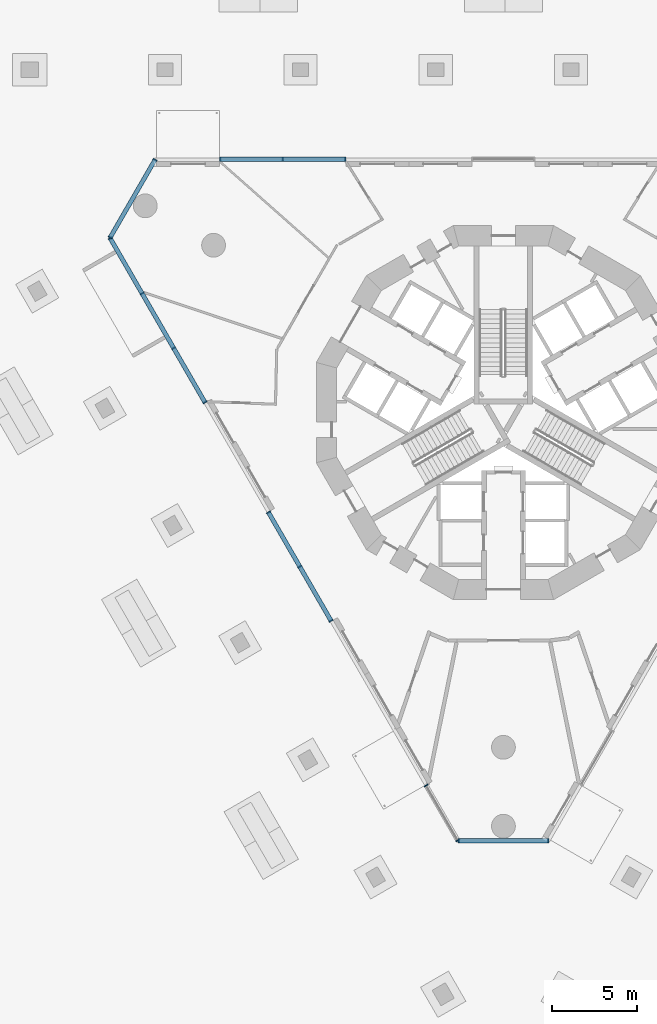
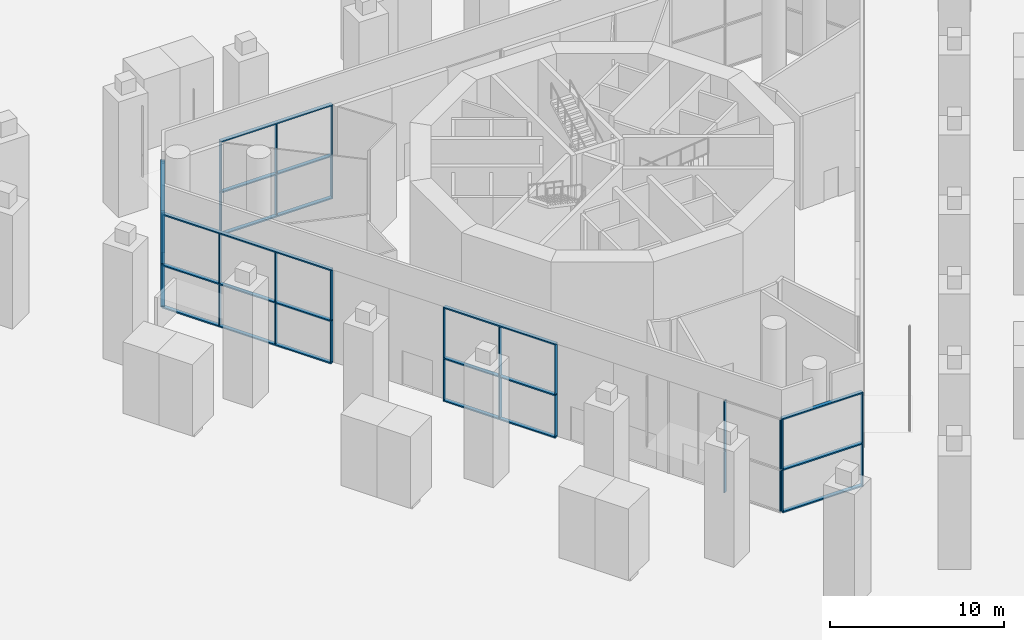
# One storey, part 2 of 26: 47 members, 6 elements without a shape of their own.
"""IFC4 building model written with IfcOpenShell, lengths in metres."""

from ifc_helpers import new_model, si_unit, direction, frame, origin, origin_2d, place, context, subcontext, project, spatial, rectangle, extrude, material, layer, layer_set, material_profile, profile_set, type_object, element, aggregate, save


model = new_model("IFC4")

# Units and contexts
model_context = context("Model", 3, precision=1e-05, world=origin(), true_north=direction((0.0, 1.0)))
body_context = subcontext(model_context, "Body", "Model", "MODEL_VIEW")
ifc_project = project(units=[si_unit("LENGTHUNIT", "METRE"), si_unit("AREAUNIT", "SQUARE_METRE"), si_unit("VOLUMEUNIT", "CUBIC_METRE"), si_unit("PLANEANGLEUNIT", "RADIAN"), si_unit("MASSUNIT", "GRAM", prefix="KILO")], contexts=[model_context])

# Site, building, storey
site_placement = place(None, origin())
site = spatial("IfcSite", under=ifc_project, at=site_placement, CompositionType="ELEMENT")
building_placement = place(site_placement, origin())
building = spatial("IfcBuilding", under=site, at=building_placement, Name="Trine Commons Tower", CompositionType="ELEMENT")
storey_placement = place(building_placement, origin())
storey = spatial("IfcBuildingStorey", under=building, at=storey_placement, Name="L00", CompositionType="ELEMENT", Elevation=0.0)

# Curtain wall, members
ifc_material_1 = material(Name="Ground pavilion glazing: stainless steel grade 1.4401 (aisi 316) frame with laminated low-iron glass unit", Category="steel")
ifc_layer = layer(ifc_material_1, 0.25)
ifc_layer_set = layer_set([ifc_layer], Name="Ground pavilion glazing: stainless steel grade 1.4401 (aisi 316) frame with laminated low-iron glass unit")
curtain_wall_type = type_object("IfcCurtainWallType", Name="Ground pavilion glazing curtain wall CW4", PredefinedType="NOTDEFINED", material=ifc_layer_set)
curtain_wall_1_placement = place(storey_placement, origin())
curtain_wall_1 = element("IfcCurtainWall", 1, at=curtain_wall_1_placement, inside=storey, type_object=curtain_wall_type, Name="Pavilion glazing C1.1", PredefinedType="NOTDEFINED")
ifc_material_2 = material(Name="Stainless steel grade 1.4401 (AISI 316), satin finish", Category="steel")
ifc_material_profile_1 = material_profile(ifc_material_2, rectangle(XDim=0.25, YDim=0.06005859375, at=origin_2d()), Name="Mullion 60x250")
ifc_profile_set_1 = profile_set([ifc_material_profile_1], Name="Stainless steel grade 1.4401 (AISI 316), satin finish")
member_type_1 = type_object("IfcMemberType", Name="Mullion 60x250, Stainless steel grade 1.4401 (AISI 316), satin finish", PredefinedType="MULLION", material=ifc_profile_set_1)
member_1_placement = place(storey_placement, frame((56.861083984375, 72.810546875, 0.090087890625), z_axis=(0.0, 0.0, 1.0), x_axis=(-0.866025403784, 0.5, 0.0)))
member_1 = element("IfcMember", 2, at=member_1_placement, type_object=member_type_1, Name="CW4 mullion 1.1", PredefinedType="MULLION", context=body_context, shape_type="SweptSolid", body=[
    extrude(rectangle(XDim=0.25, YDim=0.06005859375, at=origin_2d()), origin(), (0.0, 0.0, 1.0), 2.864990234375),
])
member_2_placement = place(storey_placement, frame((56.861083984375, 72.810546875, 3.044921875), z_axis=(0.0, 0.0, 1.0), x_axis=(-0.866025403784, 0.5, 0.0)))
member_2 = element("IfcMember", 3, at=member_2_placement, type_object=member_type_1, Name="CW4 mullion 1.2", PredefinedType="MULLION", context=body_context, shape_type="SweptSolid", body=[
    extrude(rectangle(XDim=0.25, YDim=0.06005859375, at=origin_2d()), origin(), (0.0, 0.0, 1.0), 3.465087890625),
])
member_3_placement = place(storey_placement, frame((59.501220703125, 77.383544921875, 0.090087890625), z_axis=(0.0, 0.0, 1.0), x_axis=(-0.866025403784, 0.5, 0.0)))
member_3 = element("IfcMember", 4, at=member_3_placement, type_object=member_type_1, Name="CW4 mullion 2.1", PredefinedType="MULLION", context=body_context, shape_type="SweptSolid", body=[
    extrude(rectangle(XDim=0.25, YDim=0.06005859375, at=origin_2d()), origin(), (0.0, 0.0, 1.0), 2.864990234375),
])
member_4_placement = place(storey_placement, frame((59.501220703125, 77.383544921875, 3.044921875), z_axis=(0.0, 0.0, 1.0), x_axis=(-0.866025403784, 0.5, 0.0)))
member_4 = element("IfcMember", 5, at=member_4_placement, type_object=member_type_1, Name="CW4 mullion 2.2", PredefinedType="MULLION", context=body_context, shape_type="SweptSolid", body=[
    extrude(rectangle(XDim=0.25, YDim=0.06005859375, at=origin_2d()), origin(), (0.0, 0.0, 1.0), 3.465087890625),
])

curtain_wall_2_placement = place(storey_placement, origin())
curtain_wall_2 = element("IfcCurtainWall", 6, at=curtain_wall_2_placement, inside=storey, type_object=curtain_wall_type, Name="Pavilion glazing F1.1", PredefinedType="NOTDEFINED")
member_5_placement = place(storey_placement, frame((63.32958984375, 77.40966796875, 0.090087890625), z_axis=(0.0, 0.0, 1.0), x_axis=(0.0, 1.0, 0.0)))
member_5 = element("IfcMember", 7, at=member_5_placement, type_object=member_type_1, Name="CW4 mullion 1.1", PredefinedType="MULLION", context=body_context, shape_type="SweptSolid", body=[
    extrude(rectangle(XDim=0.25, YDim=0.06005859375, at=origin_2d()), origin(), (0.0, 0.0, 1.0), 2.864990234375),
])
member_6_placement = place(storey_placement, frame((63.32958984375, 77.40966796875, 3.044921875), z_axis=(0.0, 0.0, 1.0), x_axis=(0.0, 1.0, 0.0)))
member_6 = element("IfcMember", 8, at=member_6_placement, type_object=member_type_1, Name="CW4 mullion 1.2", PredefinedType="MULLION", context=body_context, shape_type="SweptSolid", body=[
    extrude(rectangle(XDim=0.25, YDim=0.06005859375, at=origin_2d()), origin(), (0.0, 0.0, 1.0), 3.465087890625),
])
member_7_placement = place(storey_placement, frame((67.0107421875, 77.40966796875, 0.090087890625), z_axis=(0.0, 0.0, 1.0), x_axis=(0.0, 1.0, 0.0)))
member_7 = element("IfcMember", 9, at=member_7_placement, type_object=member_type_1, Name="CW4 mullion 2.1", PredefinedType="MULLION", context=body_context, shape_type="SweptSolid", body=[
    extrude(rectangle(XDim=0.25, YDim=0.06005859375, at=origin_2d()), origin(), (0.0, 0.0, 1.0), 2.864990234375),
])
member_8_placement = place(storey_placement, frame((67.0107421875, 77.40966796875, 3.044921875), z_axis=(0.0, 0.0, 1.0), x_axis=(0.0, 1.0, 0.0)))
member_8 = element("IfcMember", 10, at=member_8_placement, type_object=member_type_1, Name="CW4 mullion 2.2", PredefinedType="MULLION", context=body_context, shape_type="SweptSolid", body=[
    extrude(rectangle(XDim=0.25, YDim=0.06005859375, at=origin_2d()), origin(), (0.0, 0.0, 1.0), 3.465087890625),
])
member_9_placement = place(storey_placement, frame((70.69189453125, 77.40966796875, 0.090087890625), z_axis=(0.0, 0.0, 1.0), x_axis=(0.0, 1.0, 0.0)))
member_9 = element("IfcMember", 11, at=member_9_placement, type_object=member_type_1, Name="CW4 mullion 3.1", PredefinedType="MULLION", context=body_context, shape_type="SweptSolid", body=[
    extrude(rectangle(XDim=0.25, YDim=0.06005859375, at=origin_2d()), origin(), (0.0, 0.0, 1.0), 2.864990234375),
])
member_10_placement = place(storey_placement, frame((70.69189453125, 77.40966796875, 3.044921875), z_axis=(0.0, 0.0, 1.0), x_axis=(0.0, 1.0, 0.0)))
member_10 = element("IfcMember", 12, at=member_10_placement, type_object=member_type_1, Name="CW4 mullion 3.2", PredefinedType="MULLION", context=body_context, shape_type="SweptSolid", body=[
    extrude(rectangle(XDim=0.25, YDim=0.06005859375, at=origin_2d()), origin(), (0.0, 0.0, 1.0), 3.465087890625),
])

curtain_wall_3_placement = place(storey_placement, origin())
curtain_wall_3 = element("IfcCurtainWall", 13, at=curtain_wall_3_placement, inside=storey, type_object=curtain_wall_type, Name="Pavilion glazing C3.1", PredefinedType="NOTDEFINED")
member_11_placement = place(storey_placement, frame((82.64013671875, 37.305908203125, 0.090087890625), z_axis=(0.0, 0.0, 1.0), x_axis=(0.0, -1.0, 0.0)))
member_11 = element("IfcMember", 14, at=member_11_placement, type_object=member_type_1, Name="CW4 mullion 1.1", PredefinedType="MULLION", context=body_context, shape_type="SweptSolid", body=[
    extrude(rectangle(XDim=0.25, YDim=0.06005859375, at=origin_2d()), origin(), (0.0, 0.0, 1.0), 2.864990234375),
])
member_12_placement = place(storey_placement, frame((82.64013671875, 37.305908203125, 3.044921875), z_axis=(0.0, 0.0, 1.0), x_axis=(0.0, -1.0, 0.0)))
member_12 = element("IfcMember", 15, at=member_12_placement, type_object=member_type_1, Name="CW4 mullion 1.2", PredefinedType="MULLION", context=body_context, shape_type="SweptSolid", body=[
    extrude(rectangle(XDim=0.25, YDim=0.06005859375, at=origin_2d()), origin(), (0.0, 0.0, 1.0), 3.465087890625),
])
member_13_placement = place(storey_placement, frame((77.35986328125, 37.305908203125, 0.090087890625), z_axis=(0.0, 0.0, 1.0), x_axis=(0.0, -1.0, 0.0)))
member_13 = element("IfcMember", 16, at=member_13_placement, type_object=member_type_1, Name="CW4 mullion 2.1", PredefinedType="MULLION", context=body_context, shape_type="SweptSolid", body=[
    extrude(rectangle(XDim=0.25, YDim=0.06005859375, at=origin_2d()), origin(), (0.0, 0.0, 1.0), 2.864990234375),
])
member_14_placement = place(storey_placement, frame((77.35986328125, 37.305908203125, 3.044921875), z_axis=(0.0, 0.0, 1.0), x_axis=(0.0, -1.0, 0.0)))
member_14 = element("IfcMember", 17, at=member_14_placement, type_object=member_type_1, Name="CW4 mullion 2.2", PredefinedType="MULLION", context=body_context, shape_type="SweptSolid", body=[
    extrude(rectangle(XDim=0.25, YDim=0.06005859375, at=origin_2d()), origin(), (0.0, 0.0, 1.0), 3.465087890625),
])

curtain_wall_4_placement = place(storey_placement, origin())
curtain_wall_4 = element("IfcCurtainWall", 18, at=curtain_wall_4_placement, inside=storey, type_object=curtain_wall_type, Name="Pavilion glazing F3.1", PredefinedType="NOTDEFINED")
member_15_placement = place(storey_placement, frame((77.314697265625, 37.331787109375, 0.090087890625), z_axis=(0.0, 0.0, 1.0), x_axis=(-0.866025403784, -0.5, 0.0)))
member_15 = element("IfcMember", 19, at=member_15_placement, type_object=member_type_1, Name="CW4 mullion 1.1", PredefinedType="MULLION", context=body_context, shape_type="SweptSolid", body=[
    extrude(rectangle(XDim=0.25, YDim=0.06005859375, at=origin_2d()), origin(), (0.0, 0.0, 1.0), 2.864990234375),
])
member_16_placement = place(storey_placement, frame((77.314697265625, 37.331787109375, 3.044921875), z_axis=(0.0, 0.0, 1.0), x_axis=(-0.866025403784, -0.5, 0.0)))
member_16 = element("IfcMember", 20, at=member_16_placement, type_object=member_type_1, Name="CW4 mullion 1.2", PredefinedType="MULLION", context=body_context, shape_type="SweptSolid", body=[
    extrude(rectangle(XDim=0.25, YDim=0.06005859375, at=origin_2d()), origin(), (0.0, 0.0, 1.0), 3.465087890625),
])
member_17_placement = place(storey_placement, frame((75.453125, 40.556396484375, 0.090087890625), z_axis=(0.0, 0.0, 1.0), x_axis=(-0.866025403784, -0.5, 0.0)))
member_17 = element("IfcMember", 21, at=member_17_placement, type_object=member_type_1, Name="CW4 mullion 2.1", PredefinedType="MULLION", context=body_context, shape_type="SweptSolid", body=[
    extrude(rectangle(XDim=0.25, YDim=0.06005859375, at=origin_2d()), origin(), (0.0, 0.0, 1.0), 2.864990234375),
])
member_18_placement = place(storey_placement, frame((75.453125, 40.556396484375, 3.044921875), z_axis=(0.0, 0.0, 1.0), x_axis=(-0.866025403784, -0.5, 0.0)))
member_18 = element("IfcMember", 22, at=member_18_placement, type_object=member_type_1, Name="CW4 mullion 2.2", PredefinedType="MULLION", context=body_context, shape_type="SweptSolid", body=[
    extrude(rectangle(XDim=0.25, YDim=0.06005859375, at=origin_2d()), origin(), (0.0, 0.0, 1.0), 3.465087890625),
])
aggregate(curtain_wall_4, [member_15, member_16, member_17, member_18])

curtain_wall_5_placement = place(storey_placement, origin())
curtain_wall_5 = element("IfcCurtainWall", 23, at=curtain_wall_5_placement, inside=storey, type_object=curtain_wall_type, Name="Pavilion glazing F3.2", PredefinedType="NOTDEFINED")
member_19_placement = place(storey_placement, frame((69.856201171875, 50.250244140625, 0.090087890625), z_axis=(0.0, 0.0, 1.0), x_axis=(-0.866025403784, -0.5, 0.0)))
member_19 = element("IfcMember", 24, at=member_19_placement, type_object=member_type_1, Name="CW4 mullion 1.1", PredefinedType="MULLION", context=body_context, shape_type="SweptSolid", body=[
    extrude(rectangle(XDim=0.25, YDim=0.06005859375, at=origin_2d()), origin(), (0.0, 0.0, 1.0), 2.864990234375),
])
member_20_placement = place(storey_placement, frame((69.856201171875, 50.250244140625, 3.044921875), z_axis=(0.0, 0.0, 1.0), x_axis=(-0.866025403784, -0.5, 0.0)))
member_20 = element("IfcMember", 25, at=member_20_placement, type_object=member_type_1, Name="CW4 mullion 1.2", PredefinedType="MULLION", context=body_context, shape_type="SweptSolid", body=[
    extrude(rectangle(XDim=0.25, YDim=0.06005859375, at=origin_2d()), origin(), (0.0, 0.0, 1.0), 3.465087890625),
])
member_21_placement = place(storey_placement, frame((68.015625, 53.438232421875, 0.090087890625), z_axis=(0.0, 0.0, 1.0), x_axis=(-0.866025403784, -0.5, 0.0)))
member_21 = element("IfcMember", 26, at=member_21_placement, type_object=member_type_1, Name="CW4 mullion 2.1", PredefinedType="MULLION", context=body_context, shape_type="SweptSolid", body=[
    extrude(rectangle(XDim=0.25, YDim=0.06005859375, at=origin_2d()), origin(), (0.0, 0.0, 1.0), 2.864990234375),
])
member_22_placement = place(storey_placement, frame((68.015625, 53.438232421875, 3.044921875), z_axis=(0.0, 0.0, 1.0), x_axis=(-0.866025403784, -0.5, 0.0)))
member_22 = element("IfcMember", 27, at=member_22_placement, type_object=member_type_1, Name="CW4 mullion 2.2", PredefinedType="MULLION", context=body_context, shape_type="SweptSolid", body=[
    extrude(rectangle(XDim=0.25, YDim=0.06005859375, at=origin_2d()), origin(), (0.0, 0.0, 1.0), 3.465087890625),
])
member_23_placement = place(storey_placement, frame((66.175048828125, 56.626220703125, 0.090087890625), z_axis=(0.0, 0.0, 1.0), x_axis=(-0.866025403784, -0.5, 0.0)))
member_23 = element("IfcMember", 28, at=member_23_placement, type_object=member_type_1, Name="CW4 mullion 3.1", PredefinedType="MULLION", context=body_context, shape_type="SweptSolid", body=[
    extrude(rectangle(XDim=0.25, YDim=0.06005859375, at=origin_2d()), origin(), (0.0, 0.0, 1.0), 2.864990234375),
])
member_24_placement = place(storey_placement, frame((66.175048828125, 56.626220703125, 3.044921875), z_axis=(0.0, 0.0, 1.0), x_axis=(-0.866025403784, -0.5, 0.0)))
member_24 = element("IfcMember", 29, at=member_24_placement, type_object=member_type_1, Name="CW4 mullion 3.2", PredefinedType="MULLION", context=body_context, shape_type="SweptSolid", body=[
    extrude(rectangle(XDim=0.25, YDim=0.06005859375, at=origin_2d()), origin(), (0.0, 0.0, 1.0), 3.465087890625),
])

curtain_wall_6_placement = place(storey_placement, origin())
curtain_wall_6 = element("IfcCurtainWall", 30, at=curtain_wall_6_placement, inside=storey, type_object=curtain_wall_type, Name="Pavilion glazing F3.3", PredefinedType="NOTDEFINED")
member_25_placement = place(storey_placement, frame((62.433837890625, 63.106201171875, 0.090087890625), z_axis=(0.0, 0.0, 1.0), x_axis=(-0.866025403784, -0.5, 0.0)))
member_25 = element("IfcMember", 31, at=member_25_placement, type_object=member_type_1, Name="CW4 mullion 1.1", PredefinedType="MULLION", context=body_context, shape_type="SweptSolid", body=[
    extrude(rectangle(XDim=0.25, YDim=0.06005859375, at=origin_2d()), origin(), (0.0, 0.0, 1.0), 2.864990234375),
])
member_26_placement = place(storey_placement, frame((62.433837890625, 63.106201171875, 3.044921875), z_axis=(0.0, 0.0, 1.0), x_axis=(-0.866025403784, -0.5, 0.0)))
member_26 = element("IfcMember", 32, at=member_26_placement, type_object=member_type_1, Name="CW4 mullion 1.2", PredefinedType="MULLION", context=body_context, shape_type="SweptSolid", body=[
    extrude(rectangle(XDim=0.25, YDim=0.06005859375, at=origin_2d()), origin(), (0.0, 0.0, 1.0), 3.465087890625),
])
member_27_placement = place(storey_placement, frame((60.59326171875, 66.294189453125, 0.090087890625), z_axis=(0.0, 0.0, 1.0), x_axis=(-0.866025403784, -0.5, 0.0)))
member_27 = element("IfcMember", 33, at=member_27_placement, type_object=member_type_1, Name="CW4 mullion 2.1", PredefinedType="MULLION", context=body_context, shape_type="SweptSolid", body=[
    extrude(rectangle(XDim=0.25, YDim=0.06005859375, at=origin_2d()), origin(), (0.0, 0.0, 1.0), 2.864990234375),
])
member_28_placement = place(storey_placement, frame((60.59326171875, 66.294189453125, 3.044921875), z_axis=(0.0, 0.0, 1.0), x_axis=(-0.866025403784, -0.5, 0.0)))
member_28 = element("IfcMember", 34, at=member_28_placement, type_object=member_type_1, Name="CW4 mullion 2.2", PredefinedType="MULLION", context=body_context, shape_type="SweptSolid", body=[
    extrude(rectangle(XDim=0.25, YDim=0.06005859375, at=origin_2d()), origin(), (0.0, 0.0, 1.0), 3.465087890625),
])
member_29_placement = place(storey_placement, frame((58.73779296875, 69.508056640625, 0.090087890625), z_axis=(0.0, 0.0, 1.0), x_axis=(-0.866025403784, -0.5, 0.0)))
member_29 = element("IfcMember", 35, at=member_29_placement, type_object=member_type_1, Name="CW4 mullion 3.1", PredefinedType="MULLION", context=body_context, shape_type="SweptSolid", body=[
    extrude(rectangle(XDim=0.25, YDim=0.06005859375, at=origin_2d()), origin(), (0.0, 0.0, 1.0), 2.864990234375),
])
member_30_placement = place(storey_placement, frame((58.73779296875, 69.508056640625, 3.044921875), z_axis=(0.0, 0.0, 1.0), x_axis=(-0.866025403784, -0.5, 0.0)))
member_30 = element("IfcMember", 36, at=member_30_placement, type_object=member_type_1, Name="CW4 mullion 3.2", PredefinedType="MULLION", context=body_context, shape_type="SweptSolid", body=[
    extrude(rectangle(XDim=0.25, YDim=0.06005859375, at=origin_2d()), origin(), (0.0, 0.0, 1.0), 3.465087890625),
])
member_31_placement = place(storey_placement, frame((56.861083984375, 72.758544921875, 0.090087890625), z_axis=(0.0, 0.0, 1.0), x_axis=(-0.866025403784, -0.5, 0.0)))
member_31 = element("IfcMember", 37, at=member_31_placement, type_object=member_type_1, Name="CW4 mullion 4.1", PredefinedType="MULLION", context=body_context, shape_type="SweptSolid", body=[
    extrude(rectangle(XDim=0.25, YDim=0.06005859375, at=origin_2d()), origin(), (0.0, 0.0, 1.0), 2.864990234375),
])
member_32_placement = place(storey_placement, frame((56.861083984375, 72.758544921875, 3.044921875), z_axis=(0.0, 0.0, 1.0), x_axis=(-0.866025403784, -0.5, 0.0)))
member_32 = element("IfcMember", 38, at=member_32_placement, type_object=member_type_1, Name="CW4 mullion 4.2", PredefinedType="MULLION", context=body_context, shape_type="SweptSolid", body=[
    extrude(rectangle(XDim=0.25, YDim=0.06005859375, at=origin_2d()), origin(), (0.0, 0.0, 1.0), 3.465087890625),
])

# Member
ifc_material_profile_2 = material_profile(ifc_material_2, rectangle(XDim=0.25, YDim=0.090087890625, at=origin_2d()), Name="Transom 90x250")
ifc_profile_set_2 = profile_set([ifc_material_profile_2], Name="Stainless steel grade 1.4401 (AISI 316), satin finish")
member_type_2 = type_object("IfcMemberType", Name="Transom 90x250, Stainless steel grade 1.4401 (AISI 316), satin finish", PredefinedType="USERDEFINED", material=ifc_profile_set_2)
member_33_placement = place(storey_placement, frame((56.845947265625, 72.78466796875, 0.044921875), z_axis=(0.500023194138, 0.866012012228, 0.0), x_axis=(-0.866012012228, 0.500023194138, 0.0)))
member_33 = element("IfcMember", 39, at=member_33_placement, type_object=member_type_2, Name="CW4 transom T00", ObjectType="TRANSOM", PredefinedType="USERDEFINED", context=body_context, shape_type="SweptSolid", body=[
    extrude(rectangle(XDim=0.25, YDim=0.090087890625, at=origin_2d()), origin(), (0.0, 0.0, 1.0), 5.340576171875),
])

member_34_placement = place(storey_placement, frame((56.845947265625, 72.78466796875, 3.0), z_axis=(0.500023194138, 0.866012012228, 0.0), x_axis=(-0.866012012228, 0.500023194138, 0.0)))
member_34 = element("IfcMember", 40, at=member_34_placement, type_object=member_type_2, Name="CW4 transom T01", ObjectType="TRANSOM", PredefinedType="USERDEFINED", context=body_context, shape_type="SweptSolid", body=[
    extrude(rectangle(XDim=0.25, YDim=0.090087890625, at=origin_2d()), origin(), (0.0, 0.0, 1.0), 5.340576171875),
])

member_35_placement = place(storey_placement, frame((56.845947265625, 72.78466796875, 6.554931640625), z_axis=(0.500023194138, 0.866012012228, 0.0), x_axis=(-0.866012012228, 0.500023194138, 0.0)))
member_35 = element("IfcMember", 41, at=member_35_placement, type_object=member_type_2, Name="CW4 transom TH00", ObjectType="TRANSOM", PredefinedType="USERDEFINED", context=body_context, shape_type="SweptSolid", body=[
    extrude(rectangle(XDim=0.25, YDim=0.090087890625, at=origin_2d()), origin(), (0.0, 0.0, 1.0), 5.340576171875),
])

aggregate(curtain_wall_1, [member_33, member_34, member_35, member_1, member_2, member_3, member_4])

member_36_placement = place(storey_placement, frame((63.299560546875, 77.40966796875, 0.044921875), z_axis=(1.0, 0.0, 0.0), x_axis=(0.0, 1.0, 0.0)))
member_36 = element("IfcMember", 42, at=member_36_placement, type_object=member_type_2, Name="CW4 transom T00", ObjectType="TRANSOM", PredefinedType="USERDEFINED", context=body_context, shape_type="SweptSolid", body=[
    extrude(rectangle(XDim=0.25, YDim=0.090087890625, at=origin_2d()), origin(), (0.0, 0.0, 1.0), 7.42236328125),
])

member_37_placement = place(storey_placement, frame((63.299560546875, 77.40966796875, 3.0), z_axis=(1.0, 0.0, 0.0), x_axis=(0.0, 1.0, 0.0)))
member_37 = element("IfcMember", 43, at=member_37_placement, type_object=member_type_2, Name="CW4 transom T01", ObjectType="TRANSOM", PredefinedType="USERDEFINED", context=body_context, shape_type="SweptSolid", body=[
    extrude(rectangle(XDim=0.25, YDim=0.090087890625, at=origin_2d()), origin(), (0.0, 0.0, 1.0), 7.42236328125),
])

member_38_placement = place(storey_placement, frame((63.299560546875, 77.40966796875, 6.554931640625), z_axis=(1.0, 0.0, 0.0), x_axis=(0.0, 1.0, 0.0)))
member_38 = element("IfcMember", 44, at=member_38_placement, type_object=member_type_2, Name="CW4 transom TH00", ObjectType="TRANSOM", PredefinedType="USERDEFINED", context=body_context, shape_type="SweptSolid", body=[
    extrude(rectangle(XDim=0.25, YDim=0.090087890625, at=origin_2d()), origin(), (0.0, 0.0, 1.0), 7.42236328125),
])

aggregate(curtain_wall_2, [member_36, member_37, member_38, member_5, member_6, member_7, member_8, member_9, member_10])

member_39_placement = place(storey_placement, frame((82.670166015625, 37.305908203125, 0.044921875), z_axis=(-1.0, 0.0, 0.0), x_axis=(0.0, -1.0, 0.0)))
member_39 = element("IfcMember", 45, at=member_39_placement, type_object=member_type_2, Name="CW4 transom T00", ObjectType="TRANSOM", PredefinedType="USERDEFINED", context=body_context, shape_type="SweptSolid", body=[
    extrude(rectangle(XDim=0.25, YDim=0.090087890625, at=origin_2d()), origin(), (0.0, 0.0, 1.0), 5.34033203125),
])

member_40_placement = place(storey_placement, frame((82.670166015625, 37.305908203125, 3.0), z_axis=(-1.0, 0.0, 0.0), x_axis=(0.0, -1.0, 0.0)))
member_40 = element("IfcMember", 46, at=member_40_placement, type_object=member_type_2, Name="CW4 transom T01", ObjectType="TRANSOM", PredefinedType="USERDEFINED", context=body_context, shape_type="SweptSolid", body=[
    extrude(rectangle(XDim=0.25, YDim=0.090087890625, at=origin_2d()), origin(), (0.0, 0.0, 1.0), 5.34033203125),
])

member_41_placement = place(storey_placement, frame((82.670166015625, 37.305908203125, 6.554931640625), z_axis=(-1.0, 0.0, 0.0), x_axis=(0.0, -1.0, 0.0)))
member_41 = element("IfcMember", 47, at=member_41_placement, type_object=member_type_2, Name="CW4 transom TH00", ObjectType="TRANSOM", PredefinedType="USERDEFINED", context=body_context, shape_type="SweptSolid", body=[
    extrude(rectangle(XDim=0.25, YDim=0.090087890625, at=origin_2d()), origin(), (0.0, 0.0, 1.0), 5.34033203125),
])

aggregate(curtain_wall_3, [member_39, member_40, member_41, member_11, member_12, member_13, member_14])

member_42_placement = place(storey_placement, frame((69.871337890625, 50.22412109375, 0.044921875), z_axis=(-0.499998637326, 0.866026190523, 0.0), x_axis=(-0.866026190523, -0.499998637326, 0.0)))
member_42 = element("IfcMember", 48, at=member_42_placement, type_object=member_type_2, Name="CW4 transom T00", ObjectType="TRANSOM", PredefinedType="USERDEFINED", context=body_context, shape_type="SweptSolid", body=[
    extrude(rectangle(XDim=0.25, YDim=0.090087890625, at=origin_2d()), origin(), (0.0, 0.0, 1.0), 7.42236328125),
])

member_43_placement = place(storey_placement, frame((69.871337890625, 50.22412109375, 3.0), z_axis=(-0.499998637326, 0.866026190523, 0.0), x_axis=(-0.866026190523, -0.499998637326, 0.0)))
member_43 = element("IfcMember", 49, at=member_43_placement, type_object=member_type_2, Name="CW4 transom T01", ObjectType="TRANSOM", PredefinedType="USERDEFINED", context=body_context, shape_type="SweptSolid", body=[
    extrude(rectangle(XDim=0.25, YDim=0.090087890625, at=origin_2d()), origin(), (0.0, 0.0, 1.0), 7.42236328125),
])

member_44_placement = place(storey_placement, frame((69.871337890625, 50.22412109375, 6.554931640625), z_axis=(-0.499998637326, 0.866026190523, 0.0), x_axis=(-0.866026190523, -0.499998637326, 0.0)))
member_44 = element("IfcMember", 50, at=member_44_placement, type_object=member_type_2, Name="CW4 transom TH00", ObjectType="TRANSOM", PredefinedType="USERDEFINED", context=body_context, shape_type="SweptSolid", body=[
    extrude(rectangle(XDim=0.25, YDim=0.090087890625, at=origin_2d()), origin(), (0.0, 0.0, 1.0), 7.42236328125),
])

aggregate(curtain_wall_5, [member_42, member_43, member_44, member_19, member_20, member_21, member_22, member_23, member_24])

member_45_placement = place(storey_placement, frame((62.448974609375, 63.080078125, 0.044921875), z_axis=(-0.500005339912, 0.866022320763, 0.0), x_axis=(-0.866022320763, -0.500005339912, 0.0)))
member_45 = element("IfcMember", 51, at=member_45_placement, type_object=member_type_2, Name="CW4 transom T00", ObjectType="TRANSOM", PredefinedType="USERDEFINED", context=body_context, shape_type="SweptSolid", body=[
    extrude(rectangle(XDim=0.25, YDim=0.090087890625, at=origin_2d()), origin(), (0.0, 0.0, 1.0), 11.2060546875),
])

member_46_placement = place(storey_placement, frame((62.448974609375, 63.080078125, 3.0), z_axis=(-0.500005339912, 0.866022320763, 0.0), x_axis=(-0.866022320763, -0.500005339912, 0.0)))
member_46 = element("IfcMember", 52, at=member_46_placement, type_object=member_type_2, Name="CW4 transom T01", ObjectType="TRANSOM", PredefinedType="USERDEFINED", context=body_context, shape_type="SweptSolid", body=[
    extrude(rectangle(XDim=0.25, YDim=0.090087890625, at=origin_2d()), origin(), (0.0, 0.0, 1.0), 11.2060546875),
])

member_47_placement = place(storey_placement, frame((62.448974609375, 63.080078125, 6.554931640625), z_axis=(-0.500005339912, 0.866022320763, 0.0), x_axis=(-0.866022320763, -0.500005339912, 0.0)))
member_47 = element("IfcMember", 53, at=member_47_placement, type_object=member_type_2, Name="CW4 transom TH00", ObjectType="TRANSOM", PredefinedType="USERDEFINED", context=body_context, shape_type="SweptSolid", body=[
    extrude(rectangle(XDim=0.25, YDim=0.090087890625, at=origin_2d()), origin(), (0.0, 0.0, 1.0), 11.2060546875),
])

aggregate(curtain_wall_6, [member_45, member_46, member_47, member_25, member_26, member_27, member_28, member_29, member_30, member_31, member_32])

save(model, "model.ifc")
